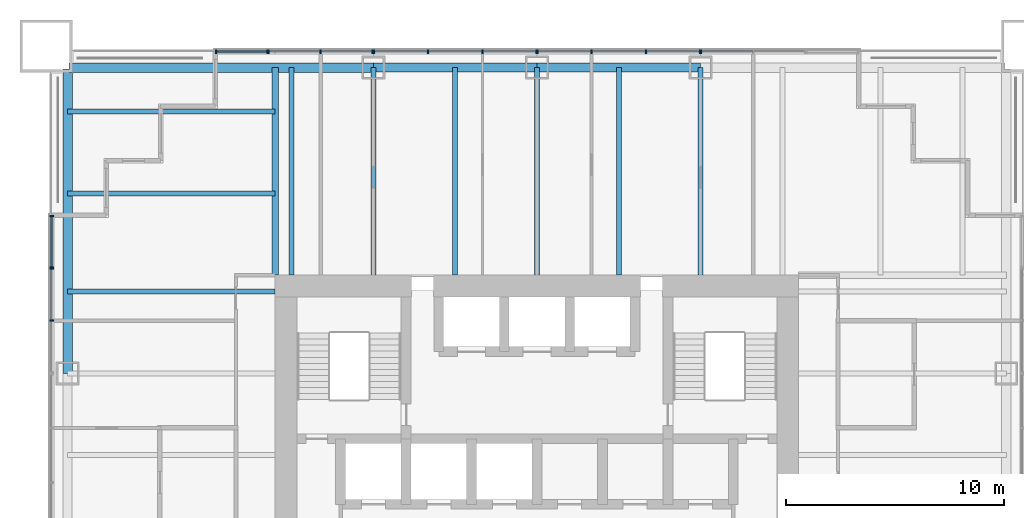
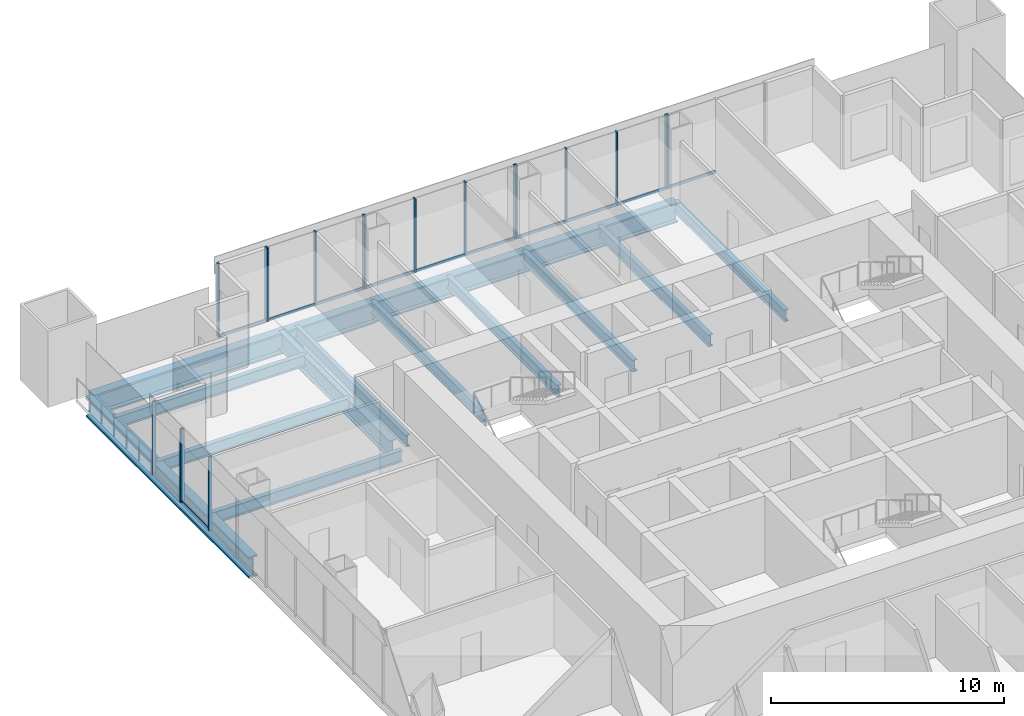
# One storey, part 5 of 13: 30 members, 14 beams, 7 elements without a shape of their own.
"""IFC4 building model written with IfcOpenShell, lengths in metres."""

from ifc_helpers import new_model, si_unit, direction, frame, origin, origin_2d, place, context, subcontext, project, spatial, rectangle, i_section, extrude, material, material_profile, profile_set, type_object, element, aggregate, save


model = new_model("IFC4")

# Units and contexts
model_context = context("Model", 3, precision=1e-05, world=origin(), true_north=direction((0.0, 1.0)))
body_context = subcontext(model_context, "Body", "Model", "MODEL_VIEW")
ifc_project = project(units=[si_unit("LENGTHUNIT", "METRE"), si_unit("AREAUNIT", "SQUARE_METRE"), si_unit("VOLUMEUNIT", "CUBIC_METRE"), si_unit("PLANEANGLEUNIT", "RADIAN"), si_unit("MASSUNIT", "GRAM", prefix="KILO")], contexts=[model_context])

# Site, building, storey
site_placement = place(None, origin())
site = spatial("IfcSite", under=ifc_project, at=site_placement, CompositionType="ELEMENT")
building_placement = place(site_placement, origin())
building = spatial("IfcBuilding", under=site, at=building_placement, Name="Tarangal Relay Tower", CompositionType="ELEMENT")
storey_placement = place(building_placement, frame((0.0, 0.0, 181.89990234375)))
storey = spatial("IfcBuildingStorey", under=building, at=storey_placement, Name="L37", CompositionType="ELEMENT", Elevation=181.89990234375)

# Beams
ifc_material_1 = material(Name="Steel ASTM A992", Category="steel")
ifc_material_profile_1 = material_profile(ifc_material_1, i_section(OverallWidth=0.227783203125, OverallDepth=0.60205078125, WebThickness=0.010498046875, FlangeThickness=0.014892578125, at=origin_2d()), Name="W24X68")
ifc_profile_set_1 = profile_set([ifc_material_profile_1], Name="Steel ASTM A992")
beam_type_1 = type_object("IfcBeamType", Name="Corner beam W24X68", PredefinedType="JOIST", material=ifc_profile_set_1)
for number, where, z_axis, x_axis, name in (
    (1, (-12.0, 15.75, -0.450927734375), (-1.0, 0.0, 0.0), (0.0, -1.0, 0.0), "Corner beam CB11 W L37"),
    (2, (-12.0, 19.5, -0.450927734375), (-1.0, 0.0, 0.0), (0.0, -1.0, 0.0), "Corner beam CB11 W L37"),
):
    element("IfcBeam", number, at=place(storey_placement, frame(where, z_axis=z_axis, x_axis=x_axis)), inside=storey, type_object=beam_type_1, Name=name, PredefinedType="JOIST", context=body_context, shape_type="SweptSolid", body=[
        extrude(i_section(OverallWidth=0.227783203125, OverallDepth=0.60205078125, WebThickness=0.010498046875, FlangeThickness=0.014892578125, at=origin_2d()), origin(), (0.0, 0.0, 1.0), 9.514892578125),
    ])
ifc_material_profile_2 = material_profile(ifc_material_1, i_section(OverallWidth=0.307373046875, OverallDepth=0.9423828125, WebThickness=0.022216796875, FlangeThickness=0.039794921875, at=origin_2d()), Name="W36X232")
ifc_profile_set_2 = profile_set([ifc_material_profile_2], Name="Steel ASTM A992")
beam_type_2 = type_object("IfcBeamType", Name="Corner girder W36X232", PredefinedType="BEAM", material=ifc_profile_set_2)
beam_placement = place(storey_placement, frame((-12.0, 12.0, -0.62109375), z_axis=(0.0, 1.0, 0.0), x_axis=(-1.0, 0.0, 0.0)))
element("IfcBeam", 3, at=beam_placement, inside=storey, type_object=beam_type_2, Name="Corner girder CG4 W L37", PredefinedType="BEAM", context=body_context, shape_type="SweptSolid", body=[
    extrude(i_section(OverallWidth=0.307373046875, OverallDepth=0.9423828125, WebThickness=0.022216796875, FlangeThickness=0.039794921875, at=origin_2d()), origin(), (0.0, 0.0, 1.0), 9.514892578125),
])
ifc_material_profile_3 = material_profile(ifc_material_1, i_section(OverallWidth=0.41650390625, OverallDepth=1.0693359375, WebThickness=0.0390625, FlangeThickness=0.070068359375, at=origin_2d()), Name="W40X503")
ifc_profile_set_3 = profile_set([ifc_material_profile_3], Name="Steel ASTM A992")
beam_type_3 = type_object("IfcBeamType", Name="Edge girder W40X503", PredefinedType="SPANDREL", material=ifc_profile_set_3)
for number, where, z_axis, x_axis, name in (
    (4, (-7.5, 21.514892578125, -0.6845703125), (1.0, 0.0, 0.0), (0.0, 1.0, 0.0), "Edge girder EG8 N L37"),
    (5, (0.0, 21.514892578125, -0.6845703125), (1.0, 0.0, 0.0), (0.0, 1.0, 0.0), "Edge girder EG8 N L37"),
):
    element("IfcBeam", number, at=place(storey_placement, frame(where, z_axis=z_axis, x_axis=x_axis)), inside=storey, type_object=beam_type_3, Name=name, PredefinedType="SPANDREL", context=body_context, shape_type="SweptSolid", body=[
        extrude(i_section(OverallWidth=0.41650390625, OverallDepth=1.0693359375, WebThickness=0.0390625, FlangeThickness=0.070068359375, at=origin_2d()), origin(), (0.0, 0.0, 1.0), 7.5),
    ])
ifc_material_profile_4 = material_profile(ifc_material_1, i_section(OverallWidth=0.42919921875, OverallDepth=1.107421875, WebThickness=0.050048828125, FlangeThickness=0.08984375, at=origin_2d()), Name="W40X655")
ifc_profile_set_4 = profile_set([ifc_material_profile_4], Name="Steel ASTM A992")
beam_type_4 = type_object("IfcBeamType", Name="Edge girder W40X655", PredefinedType="SPANDREL", material=ifc_profile_set_4)
for number, where, z_axis, x_axis, name in (
    (6, (-21.449951171875, 21.514892578125, -0.70361328125), (1.0, 0.0, 0.0), (0.0, 1.0, 0.0), "Edge girder EG10 N L37"),
    (7, (-21.514892578125, 7.5, -0.70361328125), (0.0, 1.0, 0.0), (-1.0, 0.0, 0.0), "Edge girder EG10 W L37"),
):
    element("IfcBeam", number, at=place(storey_placement, frame(where, z_axis=z_axis, x_axis=x_axis)), inside=storey, type_object=beam_type_4, Name=name, PredefinedType="SPANDREL", context=body_context, shape_type="SweptSolid", body=[
        extrude(i_section(OverallWidth=0.42919921875, OverallDepth=1.107421875, WebThickness=0.050048828125, FlangeThickness=0.08984375, at=origin_2d()), origin(), (0.0, 0.0, 1.0), 13.949951171875),
    ])
ifc_material_profile_5 = material_profile(ifc_material_1, i_section(OverallWidth=0.22900390625, OverallDepth=0.612060546875, WebThickness=0.011962890625, FlangeThickness=0.01953125, at=origin_2d()), Name="W24X84")
ifc_profile_set_5 = profile_set([ifc_material_profile_5], Name="Steel ASTM A992")
beam_type_5 = type_object("IfcBeamType", Name="Floor beam W24X84", PredefinedType="BEAM", material=ifc_profile_set_5)
for number, where, z_axis, x_axis, name in (
    (8, (-11.25, 12.0, -0.455810546875), (0.0, 1.0, 0.0), (-1.0, 0.0, 0.0), "Floor beam RB12 N L37"),
    (9, (-7.5, 12.0, -0.455810546875), (0.0, 1.0, 0.0), (-1.0, 0.0, 0.0), "Floor beam RB12 N L37"),
    (10, (-3.75, 12.0, -0.455810546875), (0.0, 1.0, 0.0), (-1.0, 0.0, 0.0), "Floor beam RB12 N L37"),
    (11, (0.0, 12.0, -0.455810546875), (0.0, 1.0, 0.0), (-1.0, 0.0, 0.0), "Floor beam RB12 N L37"),
    (12, (3.75, 12.0, -0.455810546875), (0.0, 1.0, 0.0), (-1.0, 0.0, 0.0), "Floor beam RB12 N L37"),
    (13, (7.5, 12.0, -0.455810546875), (0.0, 1.0, 0.0), (-1.0, 0.0, 0.0), "Floor beam RB12 N L37"),
    (14, (-12.0, 11.25, -0.455810546875), (-1.0, 0.0, 0.0), (0.0, -1.0, 0.0), "Floor beam RB12 W L37"),
):
    element("IfcBeam", number, at=place(storey_placement, frame(where, z_axis=z_axis, x_axis=x_axis)), inside=storey, type_object=beam_type_5, Name=name, PredefinedType="BEAM", context=body_context, shape_type="SweptSolid", body=[
        extrude(i_section(OverallWidth=0.22900390625, OverallDepth=0.612060546875, WebThickness=0.011962890625, FlangeThickness=0.01953125, at=origin_2d()), origin(), (0.0, 0.0, 1.0), 9.514892578125),
    ])

# Curtain wall, members
ifc_material_2 = material(Name="Unitised curtain wall, dark glass and black aluminium", Category="aluminium")
curtain_wall_type_1 = type_object("IfcCurtainWallType", Name="Curtain wall CW-A", PredefinedType="USERDEFINED", material=ifc_material_2)
curtain_wall_1_placement = place(storey_placement, origin())
curtain_wall_1 = element("IfcCurtainWall", 15, at=curtain_wall_1_placement, inside=storey, type_object=curtain_wall_type_1, Name="Curtain wall CW-A N facade L37", ObjectType="UNITISED CURTAIN WALL", PredefinedType="USERDEFINED")
ifc_material_3 = material(Name="Black anodised aluminium mullion", Category="aluminium")
ifc_material_profile_6 = material_profile(ifc_material_3, rectangle(XDim=0.175048828125, YDim=0.06494140625, at=origin_2d()), Name="CW-AM 65X175")
ifc_profile_set_6 = profile_set([ifc_material_profile_6], Name="Black anodised aluminium mullion")
member_type_1 = type_object("IfcMemberType", Name="Mullion CW-A 65 x 175", PredefinedType="MULLION", material=ifc_profile_set_6)
member_1_placement = place(storey_placement, frame((-12.30078125, 22.25, 0.0), z_axis=(0.0, 0.0, 1.0), x_axis=(0.0, 1.0, 0.0)))
member_1 = element("IfcMember", 16, at=member_1_placement, type_object=member_type_1, Name="CW-A mullion 1", PredefinedType="MULLION", context=body_context, shape_type="SweptSolid", body=[
    extrude(rectangle(XDim=0.175048828125, YDim=0.06494140625, at=origin_2d()), origin(), (0.0, 0.0, 1.0), 3.85009765625),
])
member_2_placement = place(storey_placement, frame((-9.916748046875, 22.25, 0.0), z_axis=(0.0, 0.0, 1.0), x_axis=(0.0, 1.0, 0.0)))
member_2 = element("IfcMember", 17, at=member_2_placement, type_object=member_type_1, Name="CW-A mullion 2", PredefinedType="MULLION", context=body_context, shape_type="SweptSolid", body=[
    extrude(rectangle(XDim=0.175048828125, YDim=0.06494140625, at=origin_2d()), origin(), (0.0, 0.0, 1.0), 3.85009765625),
])
member_3_placement = place(storey_placement, frame((-7.532470703125, 22.25, 0.0), z_axis=(0.0, 0.0, 1.0), x_axis=(0.0, 1.0, 0.0)))
member_3 = element("IfcMember", 18, at=member_3_placement, type_object=member_type_1, Name="CW-A mullion 3", PredefinedType="MULLION", context=body_context, shape_type="SweptSolid", body=[
    extrude(rectangle(XDim=0.175048828125, YDim=0.06494140625, at=origin_2d()), origin(), (0.0, 0.0, 1.0), 3.85009765625),
])

curtain_wall_2_placement = place(storey_placement, origin())
curtain_wall_2 = element("IfcCurtainWall", 19, at=curtain_wall_2_placement, inside=storey, type_object=curtain_wall_type_1, Name="Curtain wall CW-A N facade L37", ObjectType="UNITISED CURTAIN WALL", PredefinedType="USERDEFINED")
member_4_placement = place(storey_placement, frame((-7.467529296875, 22.25, 0.0), z_axis=(0.0, 0.0, 1.0), x_axis=(0.0, 1.0, 0.0)))
member_4 = element("IfcMember", 20, at=member_4_placement, type_object=member_type_1, Name="CW-A mullion 1", PredefinedType="MULLION", context=body_context, shape_type="SweptSolid", body=[
    extrude(rectangle(XDim=0.175048828125, YDim=0.06494140625, at=origin_2d()), origin(), (0.0, 0.0, 1.0), 3.85009765625),
])
member_5_placement = place(storey_placement, frame((-5.0, 22.25, 0.0), z_axis=(0.0, 0.0, 1.0), x_axis=(0.0, 1.0, 0.0)))
member_5 = element("IfcMember", 21, at=member_5_placement, type_object=member_type_1, Name="CW-A mullion 2", PredefinedType="MULLION", context=body_context, shape_type="SweptSolid", body=[
    extrude(rectangle(XDim=0.175048828125, YDim=0.06494140625, at=origin_2d()), origin(), (0.0, 0.0, 1.0), 3.85009765625),
])
member_6_placement = place(storey_placement, frame((-2.5, 22.25, 0.0), z_axis=(0.0, 0.0, 1.0), x_axis=(0.0, 1.0, 0.0)))
member_6 = element("IfcMember", 22, at=member_6_placement, type_object=member_type_1, Name="CW-A mullion 3", PredefinedType="MULLION", context=body_context, shape_type="SweptSolid", body=[
    extrude(rectangle(XDim=0.175048828125, YDim=0.06494140625, at=origin_2d()), origin(), (0.0, 0.0, 1.0), 3.85009765625),
])
member_7_placement = place(storey_placement, frame((-0.032470703125, 22.25, 0.0), z_axis=(0.0, 0.0, 1.0), x_axis=(0.0, 1.0, 0.0)))
member_7 = element("IfcMember", 23, at=member_7_placement, type_object=member_type_1, Name="CW-A mullion 4", PredefinedType="MULLION", context=body_context, shape_type="SweptSolid", body=[
    extrude(rectangle(XDim=0.175048828125, YDim=0.06494140625, at=origin_2d()), origin(), (0.0, 0.0, 1.0), 3.85009765625),
])

curtain_wall_3_placement = place(storey_placement, origin())
curtain_wall_3 = element("IfcCurtainWall", 24, at=curtain_wall_3_placement, inside=storey, type_object=curtain_wall_type_1, Name="Curtain wall CW-A N facade L37", ObjectType="UNITISED CURTAIN WALL", PredefinedType="USERDEFINED")
member_8_placement = place(storey_placement, frame((0.032470703125, 22.25, 0.0), z_axis=(0.0, 0.0, 1.0), x_axis=(0.0, 1.0, 0.0)))
member_8 = element("IfcMember", 25, at=member_8_placement, type_object=member_type_1, Name="CW-A mullion 1", PredefinedType="MULLION", context=body_context, shape_type="SweptSolid", body=[
    extrude(rectangle(XDim=0.175048828125, YDim=0.06494140625, at=origin_2d()), origin(), (0.0, 0.0, 1.0), 3.85009765625),
])
member_9_placement = place(storey_placement, frame((2.5, 22.25, 0.0), z_axis=(0.0, 0.0, 1.0), x_axis=(0.0, 1.0, 0.0)))
member_9 = element("IfcMember", 26, at=member_9_placement, type_object=member_type_1, Name="CW-A mullion 2", PredefinedType="MULLION", context=body_context, shape_type="SweptSolid", body=[
    extrude(rectangle(XDim=0.175048828125, YDim=0.06494140625, at=origin_2d()), origin(), (0.0, 0.0, 1.0), 3.85009765625),
])
member_10_placement = place(storey_placement, frame((5.0, 22.25, 0.0), z_axis=(0.0, 0.0, 1.0), x_axis=(0.0, 1.0, 0.0)))
member_10 = element("IfcMember", 27, at=member_10_placement, type_object=member_type_1, Name="CW-A mullion 3", PredefinedType="MULLION", context=body_context, shape_type="SweptSolid", body=[
    extrude(rectangle(XDim=0.175048828125, YDim=0.06494140625, at=origin_2d()), origin(), (0.0, 0.0, 1.0), 3.85009765625),
])
member_11_placement = place(storey_placement, frame((7.467529296875, 22.25, 0.0), z_axis=(0.0, 0.0, 1.0), x_axis=(0.0, 1.0, 0.0)))
member_11 = element("IfcMember", 28, at=member_11_placement, type_object=member_type_1, Name="CW-A mullion 4", PredefinedType="MULLION", context=body_context, shape_type="SweptSolid", body=[
    extrude(rectangle(XDim=0.175048828125, YDim=0.06494140625, at=origin_2d()), origin(), (0.0, 0.0, 1.0), 3.85009765625),
])

# Curtain wall, member
curtain_wall_4_placement = place(storey_placement, origin())
curtain_wall_4 = element("IfcCurtainWall", 29, at=curtain_wall_4_placement, inside=storey, type_object=curtain_wall_type_1, Name="Curtain wall CW-A N facade L37", ObjectType="UNITISED CURTAIN WALL", PredefinedType="USERDEFINED")
member_12_placement = place(storey_placement, frame((7.532470703125, 22.25, 0.0), z_axis=(0.0, 0.0, 1.0), x_axis=(0.0, 1.0, 0.0)))
member_12 = element("IfcMember", 30, at=member_12_placement, type_object=member_type_1, Name="CW-A mullion 1", PredefinedType="MULLION", context=body_context, shape_type="SweptSolid", body=[
    extrude(rectangle(XDim=0.175048828125, YDim=0.06494140625, at=origin_2d()), origin(), (0.0, 0.0, 1.0), 3.85009765625),
])

# Curtain wall, members
curtain_wall_5_placement = place(storey_placement, origin())
curtain_wall_5 = element("IfcCurtainWall", 31, at=curtain_wall_5_placement, inside=storey, type_object=curtain_wall_type_1, Name="Curtain wall CW-A W facade L37", ObjectType="UNITISED CURTAIN WALL", PredefinedType="USERDEFINED")
member_13_placement = place(storey_placement, frame((-22.25, 9.916748046875, 0.0), z_axis=(0.0, 0.0, 1.0), x_axis=(-1.0, 0.0, 0.0)))
member_13 = element("IfcMember", 32, at=member_13_placement, type_object=member_type_1, Name="CW-A mullion 2", PredefinedType="MULLION", context=body_context, shape_type="SweptSolid", body=[
    extrude(rectangle(XDim=0.175048828125, YDim=0.06494140625, at=origin_2d()), origin(), (0.0, 0.0, 1.0), 3.85009765625),
])
member_14_placement = place(storey_placement, frame((-22.25, 12.30078125, 0.0), z_axis=(0.0, 0.0, 1.0), x_axis=(-1.0, 0.0, 0.0)))
member_14 = element("IfcMember", 33, at=member_14_placement, type_object=member_type_1, Name="CW-A mullion 3", PredefinedType="MULLION", context=body_context, shape_type="SweptSolid", body=[
    extrude(rectangle(XDim=0.175048828125, YDim=0.06494140625, at=origin_2d()), origin(), (0.0, 0.0, 1.0), 3.85009765625),
])

ifc_material_4 = material(Name="Unitised curtain wall frame, black aluminium, with metal clad infill walls", Category="aluminium")
curtain_wall_type_2 = type_object("IfcCurtainWallType", Name="Curtain wall CW-AO", PredefinedType="USERDEFINED", material=ifc_material_4)
curtain_wall_6_placement = place(storey_placement, origin())
curtain_wall_6 = element("IfcCurtainWall", 34, at=curtain_wall_6_placement, inside=storey, type_object=curtain_wall_type_2, Name="Curtain wall CW-AO N facade L37", ObjectType="UNITISED CURTAIN WALL", PredefinedType="USERDEFINED")
ifc_material_profile_7 = material_profile(ifc_material_3, rectangle(XDim=0.175048828125, YDim=0.06494140625, at=origin_2d()), Name="CW-AOM 65X175")
ifc_profile_set_7 = profile_set([ifc_material_profile_7], Name="Black anodised aluminium mullion")
member_type_2 = type_object("IfcMemberType", Name="Mullion CW-AO 65 x 175", PredefinedType="MULLION", material=ifc_profile_set_7)
member_15_placement = place(storey_placement, frame((-14.717529296875, 22.25, 0.0), z_axis=(0.0, 0.0, 1.0), x_axis=(0.0, 1.0, 0.0)))
member_15 = element("IfcMember", 35, at=member_15_placement, type_object=member_type_2, Name="CW-AO mullion 1", PredefinedType="MULLION", context=body_context, shape_type="SweptSolid", body=[
    extrude(rectangle(XDim=0.175048828125, YDim=0.06494140625, at=origin_2d()), origin(), (0.0, 0.0, 1.0), 3.85009765625),
])
member_16_placement = place(storey_placement, frame((-12.36572265625, 22.25, 0.0), z_axis=(0.0, 0.0, 1.0), x_axis=(0.0, 1.0, 0.0)))
member_16 = element("IfcMember", 36, at=member_16_placement, type_object=member_type_2, Name="CW-AO mullion 2", PredefinedType="MULLION", context=body_context, shape_type="SweptSolid", body=[
    extrude(rectangle(XDim=0.175048828125, YDim=0.06494140625, at=origin_2d()), origin(), (0.0, 0.0, 1.0), 3.85009765625),
])

curtain_wall_7_placement = place(storey_placement, origin())
curtain_wall_7 = element("IfcCurtainWall", 37, at=curtain_wall_7_placement, inside=storey, type_object=curtain_wall_type_2, Name="Curtain wall CW-AO W facade L37", ObjectType="UNITISED CURTAIN WALL", PredefinedType="USERDEFINED")
member_17_placement = place(storey_placement, frame((-22.25, 12.36572265625, 0.0), z_axis=(0.0, 0.0, 1.0), x_axis=(-1.0, 0.0, 0.0)))
member_17 = element("IfcMember", 38, at=member_17_placement, type_object=member_type_2, Name="CW-AO mullion 1", PredefinedType="MULLION", context=body_context, shape_type="SweptSolid", body=[
    extrude(rectangle(XDim=0.175048828125, YDim=0.06494140625, at=origin_2d()), origin(), (0.0, 0.0, 1.0), 3.85009765625),
])
member_18_placement = place(storey_placement, frame((-22.25, 14.717529296875, 0.0), z_axis=(0.0, 0.0, 1.0), x_axis=(-1.0, 0.0, 0.0)))
member_18 = element("IfcMember", 39, at=member_18_placement, type_object=member_type_2, Name="CW-AO mullion 2", PredefinedType="MULLION", context=body_context, shape_type="SweptSolid", body=[
    extrude(rectangle(XDim=0.175048828125, YDim=0.06494140625, at=origin_2d()), origin(), (0.0, 0.0, 1.0), 3.85009765625),
])

# Member
ifc_material_5 = material(Name="Black anodised aluminium transom", Category="aluminium")
ifc_material_profile_8 = material_profile(ifc_material_5, rectangle(XDim=0.06494140625, YDim=0.14990234375, at=origin_2d()), Name="CW-AT 65X150")
ifc_profile_set_8 = profile_set([ifc_material_profile_8], Name="Black anodised aluminium transom")
member_type_3 = type_object("IfcMemberType", Name="Transom CW-A 65 x 150", PredefinedType="USERDEFINED", material=ifc_profile_set_8)
member_19_placement = place(storey_placement, frame((-12.268310546875, 22.25, 0.03271484375), z_axis=(1.0, 0.0, 0.0), x_axis=(0.0, 1.0, 0.0)))
member_19 = element("IfcMember", 40, at=member_19_placement, type_object=member_type_3, Name="CW-A transom 1.1", ObjectType="TRANSOM", PredefinedType="USERDEFINED", context=body_context, shape_type="SweptSolid", body=[
    extrude(rectangle(XDim=0.06494140625, YDim=0.14990234375, at=origin_2d()), origin(), (0.0, 0.0, 1.0), 2.319091796875),
])

member_20_placement = place(storey_placement, frame((-9.884033203125, 22.25, 0.03271484375), z_axis=(1.0, 0.0, 0.0), x_axis=(0.0, 1.0, 0.0)))
member_20 = element("IfcMember", 41, at=member_20_placement, type_object=member_type_3, Name="CW-A transom 2.1", ObjectType="TRANSOM", PredefinedType="USERDEFINED", context=body_context, shape_type="SweptSolid", body=[
    extrude(rectangle(XDim=0.06494140625, YDim=0.14990234375, at=origin_2d()), origin(), (0.0, 0.0, 1.0), 2.319091796875),
])

aggregate(curtain_wall_1, [member_1, member_2, member_3, member_19, member_20])

member_21_placement = place(storey_placement, frame((-7.43505859375, 22.25, 0.03271484375), z_axis=(1.0, 0.0, 0.0), x_axis=(0.0, 1.0, 0.0)))
member_21 = element("IfcMember", 42, at=member_21_placement, type_object=member_type_3, Name="CW-A transom 1.1", ObjectType="TRANSOM", PredefinedType="USERDEFINED", context=body_context, shape_type="SweptSolid", body=[
    extrude(rectangle(XDim=0.06494140625, YDim=0.14990234375, at=origin_2d()), origin(), (0.0, 0.0, 1.0), 2.402587890625),
])

member_22_placement = place(storey_placement, frame((-4.967529296875, 22.25, 0.03271484375), z_axis=(1.0, 0.0, 0.0), x_axis=(0.0, 1.0, 0.0)))
member_22 = element("IfcMember", 43, at=member_22_placement, type_object=member_type_3, Name="CW-A transom 2.1", ObjectType="TRANSOM", PredefinedType="USERDEFINED", context=body_context, shape_type="SweptSolid", body=[
    extrude(rectangle(XDim=0.06494140625, YDim=0.14990234375, at=origin_2d()), origin(), (0.0, 0.0, 1.0), 2.43505859375),
])

member_23_placement = place(storey_placement, frame((-2.467529296875, 22.25, 0.03271484375), z_axis=(1.0, 0.0, 0.0), x_axis=(0.0, 1.0, 0.0)))
member_23 = element("IfcMember", 44, at=member_23_placement, type_object=member_type_3, Name="CW-A transom 3.1", ObjectType="TRANSOM", PredefinedType="USERDEFINED", context=body_context, shape_type="SweptSolid", body=[
    extrude(rectangle(XDim=0.06494140625, YDim=0.14990234375, at=origin_2d()), origin(), (0.0, 0.0, 1.0), 2.402587890625),
])

aggregate(curtain_wall_2, [member_4, member_5, member_6, member_7, member_21, member_22, member_23])

member_24_placement = place(storey_placement, frame((0.06494140625, 22.25, 0.03271484375), z_axis=(1.0, 0.0, 0.0), x_axis=(0.0, 1.0, 0.0)))
member_24 = element("IfcMember", 45, at=member_24_placement, type_object=member_type_3, Name="CW-A transom 1.1", ObjectType="TRANSOM", PredefinedType="USERDEFINED", context=body_context, shape_type="SweptSolid", body=[
    extrude(rectangle(XDim=0.06494140625, YDim=0.14990234375, at=origin_2d()), origin(), (0.0, 0.0, 1.0), 2.402587890625),
])

member_25_placement = place(storey_placement, frame((2.532470703125, 22.25, 0.03271484375), z_axis=(1.0, 0.0, 0.0), x_axis=(0.0, 1.0, 0.0)))
member_25 = element("IfcMember", 46, at=member_25_placement, type_object=member_type_3, Name="CW-A transom 2.1", ObjectType="TRANSOM", PredefinedType="USERDEFINED", context=body_context, shape_type="SweptSolid", body=[
    extrude(rectangle(XDim=0.06494140625, YDim=0.14990234375, at=origin_2d()), origin(), (0.0, 0.0, 1.0), 2.43505859375),
])

member_26_placement = place(storey_placement, frame((5.032470703125, 22.25, 0.03271484375), z_axis=(1.0, 0.0, 0.0), x_axis=(0.0, 1.0, 0.0)))
member_26 = element("IfcMember", 47, at=member_26_placement, type_object=member_type_3, Name="CW-A transom 3.1", ObjectType="TRANSOM", PredefinedType="USERDEFINED", context=body_context, shape_type="SweptSolid", body=[
    extrude(rectangle(XDim=0.06494140625, YDim=0.14990234375, at=origin_2d()), origin(), (0.0, 0.0, 1.0), 2.402587890625),
])

aggregate(curtain_wall_3, [member_8, member_9, member_10, member_11, member_24, member_25, member_26])

member_27_placement = place(storey_placement, frame((7.56494140625, 22.25, 0.03271484375), z_axis=(1.0, 0.0, 0.0), x_axis=(0.0, 1.0, 0.0)))
member_27 = element("IfcMember", 48, at=member_27_placement, type_object=member_type_3, Name="CW-A transom 1.1", ObjectType="TRANSOM", PredefinedType="USERDEFINED", context=body_context, shape_type="SweptSolid", body=[
    extrude(rectangle(XDim=0.06494140625, YDim=0.14990234375, at=origin_2d()), origin(), (0.0, 0.0, 1.0), 2.319091796875),
])

aggregate(curtain_wall_4, [member_12, member_27])

member_28_placement = place(storey_placement, frame((-22.25, 9.94921875, 0.03271484375), z_axis=(0.0, 1.0, 0.0), x_axis=(-1.0, 0.0, 0.0)))
member_28 = element("IfcMember", 49, at=member_28_placement, type_object=member_type_3, Name="CW-A transom 2.1", ObjectType="TRANSOM", PredefinedType="USERDEFINED", context=body_context, shape_type="SweptSolid", body=[
    extrude(rectangle(XDim=0.06494140625, YDim=0.14990234375, at=origin_2d()), origin(), (0.0, 0.0, 1.0), 2.319091796875),
])

aggregate(curtain_wall_5, [member_13, member_14, member_28])

ifc_material_profile_9 = material_profile(ifc_material_5, rectangle(XDim=0.06494140625, YDim=0.14990234375, at=origin_2d()), Name="CW-AOT 65X150")
ifc_profile_set_9 = profile_set([ifc_material_profile_9], Name="Black anodised aluminium transom")
member_type_4 = type_object("IfcMemberType", Name="Transom CW-AO 65 x 150", PredefinedType="USERDEFINED", material=ifc_profile_set_9)
member_29_placement = place(storey_placement, frame((-14.68505859375, 22.25, 0.03271484375), z_axis=(1.0, 0.0, 0.0), x_axis=(0.0, 1.0, 0.0)))
member_29 = element("IfcMember", 50, at=member_29_placement, type_object=member_type_4, Name="CW-AO transom 1.1", ObjectType="TRANSOM", PredefinedType="USERDEFINED", context=body_context, shape_type="SweptSolid", body=[
    extrude(rectangle(XDim=0.06494140625, YDim=0.14990234375, at=origin_2d()), origin(), (0.0, 0.0, 1.0), 2.286865234375),
])

aggregate(curtain_wall_6, [member_15, member_16, member_29])

member_30_placement = place(storey_placement, frame((-22.25, 12.398193359375, 0.03271484375), z_axis=(0.0, 1.0, 0.0), x_axis=(-1.0, 0.0, 0.0)))
member_30 = element("IfcMember", 51, at=member_30_placement, type_object=member_type_4, Name="CW-AO transom 1.1", ObjectType="TRANSOM", PredefinedType="USERDEFINED", context=body_context, shape_type="SweptSolid", body=[
    extrude(rectangle(XDim=0.06494140625, YDim=0.14990234375, at=origin_2d()), origin(), (0.0, 0.0, 1.0), 2.286865234375),
])

aggregate(curtain_wall_7, [member_17, member_18, member_30])

save(model, "model.ifc")
